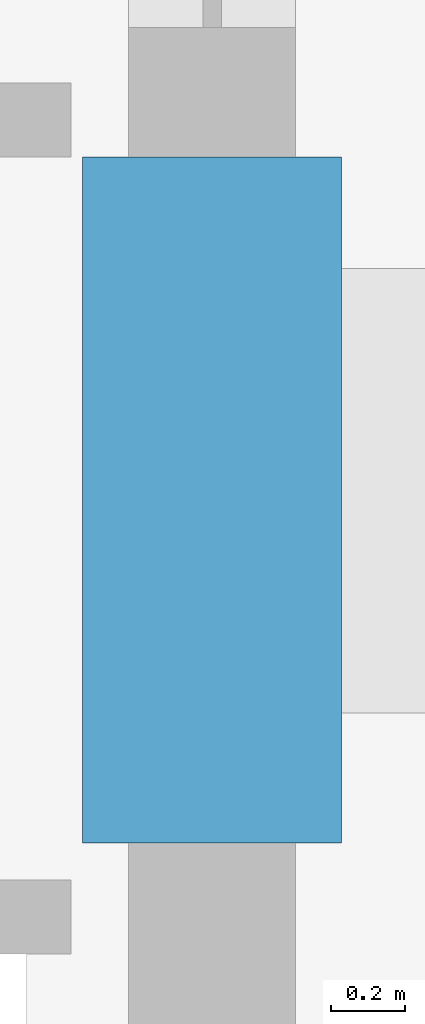
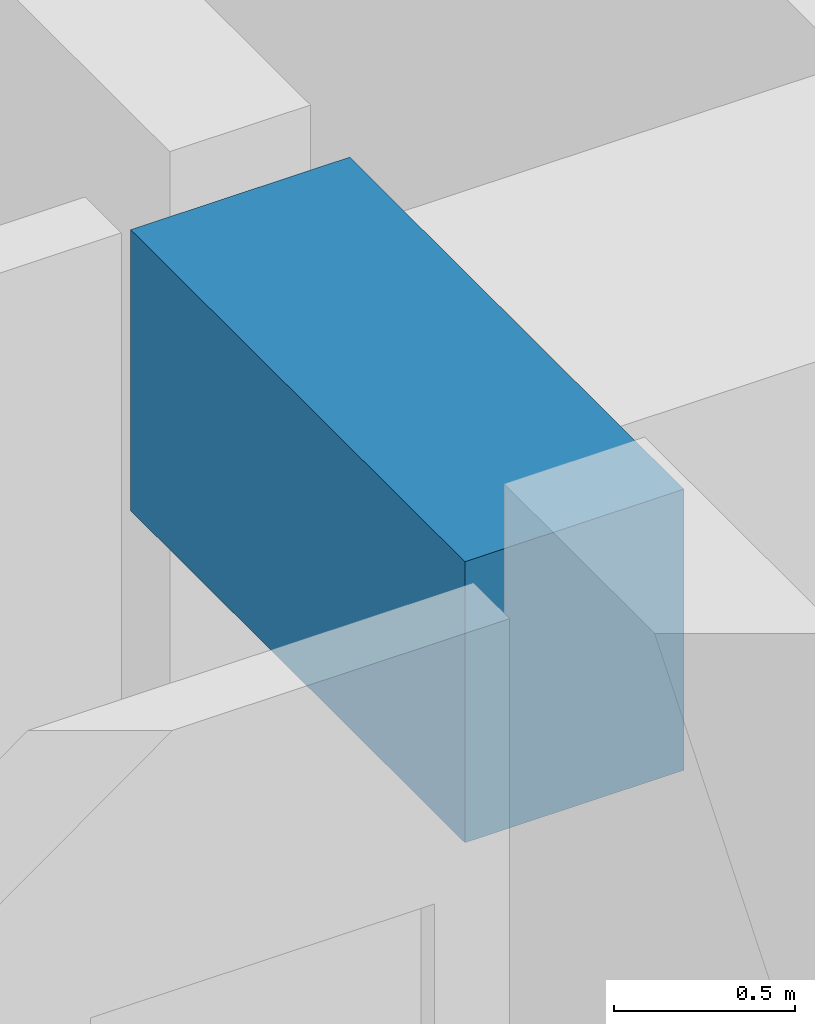
# One storey, part 11 of 37: 1 beam.
"""IFC4 building model written with IfcOpenShell, lengths in metres."""

from ifc_helpers import new_model, si_unit, direction, frame, origin, origin_2d, place, context, subcontext, project, spatial, rectangle, extrude, material, material_profile, profile_set, type_object, element, save


model = new_model("IFC4")

# Units and contexts
model_context = context("Model", 3, precision=1e-05, world=origin(), true_north=direction((0.0, 1.0)))
body_context = subcontext(model_context, "Body", "Model", "MODEL_VIEW")
ifc_project = project(units=[si_unit("LENGTHUNIT", "METRE"), si_unit("AREAUNIT", "SQUARE_METRE"), si_unit("VOLUMEUNIT", "CUBIC_METRE"), si_unit("PLANEANGLEUNIT", "RADIAN"), si_unit("MASSUNIT", "GRAM", prefix="KILO")], contexts=[model_context])

# Site, building, storey
site_placement = place(None, origin())
site = spatial("IfcSite", under=ifc_project, at=site_placement, CompositionType="ELEMENT")
building_placement = place(site_placement, origin())
building = spatial("IfcBuilding", under=site, at=building_placement, Name="Kolvaren Belvedere", CompositionType="ELEMENT")
storey_placement = place(building_placement, frame((0.0, 0.0, 219.60009765625)))
storey = spatial("IfcBuildingStorey", under=building, at=storey_placement, Name="L64", CompositionType="ELEMENT", Elevation=219.60009765625)

# Beam
ifc_material = material(Name="Concrete C60/75", Category="concrete")
ifc_material_profile = material_profile(ifc_material, rectangle(XDim=0.699951171875, YDim=0.949951171875, at=origin_2d()), Name="RC 700X950")
ifc_profile_set = profile_set([ifc_material_profile], Name="Concrete C60/75")
beam_type = type_object("IfcBeamType", Name="BM-LINT-950", PredefinedType="LINTEL", material=ifc_profile_set)
beam_placement = place(storey_placement, frame((9.89990234375, -5.550048828125, 2.60498046875), z_axis=(0.0, 1.0, 0.0), x_axis=(-1.0, 0.0, 0.0)))
element("IfcBeam", 1, at=beam_placement, inside=storey, type_object=beam_type, Name="L64 East Core Coupling Lintel", PredefinedType="LINTEL", context=body_context, shape_type="SweptSolid", body=[
    extrude(rectangle(XDim=0.699951171875, YDim=0.949951171875, at=origin_2d()), origin(), (0.0, 0.0, 1.0), 1.85009765625),
])

save(model, "model.ifc")
